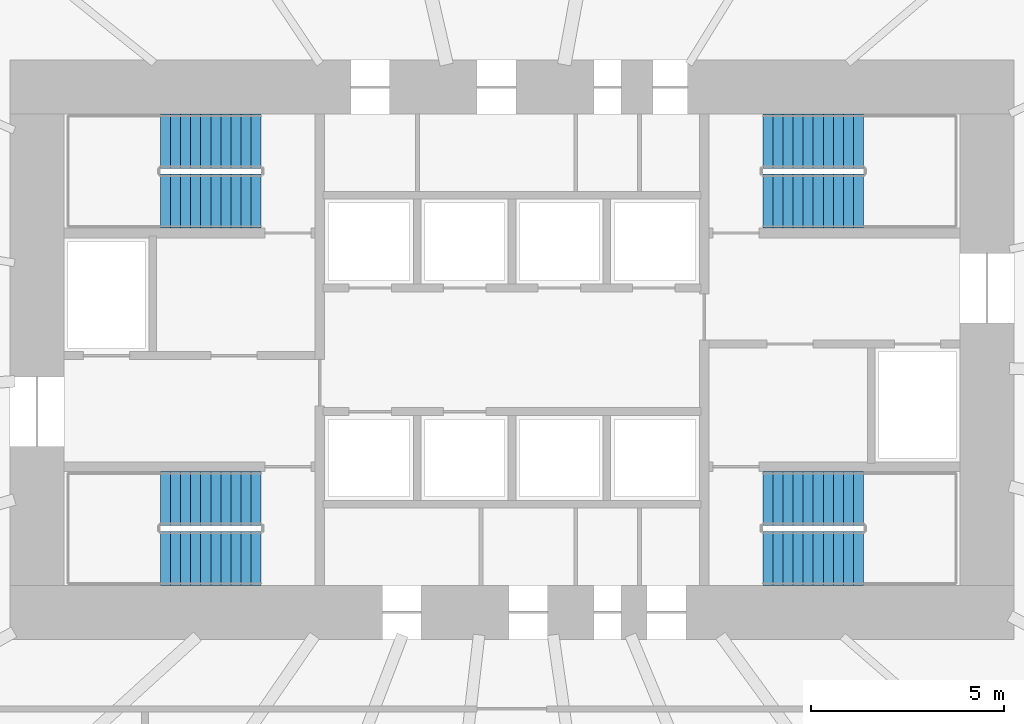
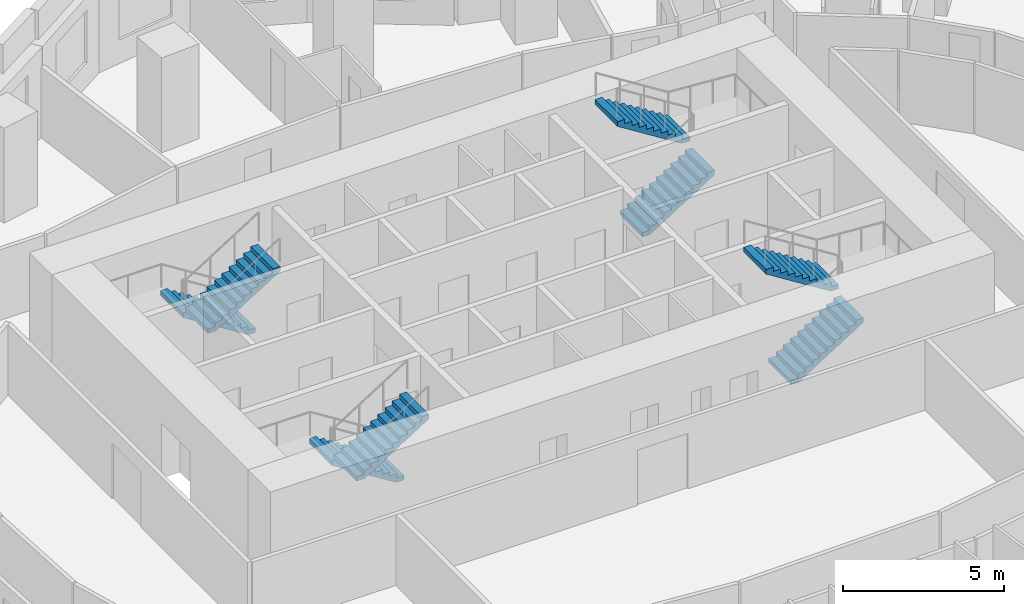
# One storey, part 10 of 11: 8 stair flights, 4 elements without a shape of their own.
"""IFC4 building model written with IfcOpenShell, lengths in metres."""

from ifc_helpers import new_model, si_unit, direction, frame, origin, place, context, subcontext, project, spatial, polyline, outline, extrude, material, type_object, element, aggregate, save


model = new_model("IFC4")

# Units and contexts
model_context = context("Model", 3, precision=1e-05, world=origin(), true_north=direction((0.0, 1.0)))
body_context = subcontext(model_context, "Body", "Model", "MODEL_VIEW")
ifc_project = project(units=[si_unit("LENGTHUNIT", "METRE"), si_unit("AREAUNIT", "SQUARE_METRE"), si_unit("VOLUMEUNIT", "CUBIC_METRE"), si_unit("PLANEANGLEUNIT", "RADIAN"), si_unit("MASSUNIT", "GRAM", prefix="KILO")], contexts=[model_context])

# Site, building, storey
site_placement = place(None, origin())
site = spatial("IfcSite", under=ifc_project, at=site_placement, CompositionType="ELEMENT")
building_placement = place(site_placement, origin())
building = spatial("IfcBuilding", under=site, at=building_placement, Name="Rubra Terraces Tower", CompositionType="ELEMENT")
storey_placement = place(building_placement, frame((0.0, 0.0, 59.10009765625)))
storey = spatial("IfcBuildingStorey", under=building, at=storey_placement, Name="L12", CompositionType="ELEMENT", Elevation=59.10009765625)

# Stair, stair flights
ifc_material = material(Name="Concrete C40", Category="concrete")
stair_type = type_object("IfcStairType", Name="Core stair 1400", PredefinedType="HALF_TURN_STAIR", material=ifc_material)
stair_1_placement = place(storey_placement, origin())
stair_1 = element("IfcStair", 1, at=stair_1_placement, inside=storey, type_object=stair_type, Name="L12 Exit stair S1", PredefinedType="HALF_TURN_STAIR")
stair_flight_type = type_object("IfcStairFlightType", Name="Core stair flight 1400", PredefinedType="STRAIGHT", material=ifc_material)
stair_flight_1_placement = place(storey_placement, frame((-6.5, 0.64990234375, 0.0), z_axis=(0.0, 0.0, 1.0), x_axis=(-1.0, 0.0, 0.0)))
stair_flight_1 = element("IfcStairFlight", 2, at=stair_flight_1_placement, type_object=stair_flight_type, Name="S1 flight 1", NumberOfRisers=11, NumberOfTreads=10, PredefinedType="STRAIGHT", RiserHeight=0.163636364, TreadLength=0.26, context=body_context, shape_type="SweptSolid", body=[
    extrude(outline(polyline([(0.0, 0.0), (0.0, 0.16357421875), (0.260009765625, 0.16357421875), (0.260009765625, 0.327392578125), (0.52001953125, 0.327392578125), (0.52001953125, 0.490966796875), (0.780029296875, 0.490966796875), (0.780029296875, 0.654541015625), (1.0400390625, 0.654541015625), (1.0400390625, 0.818115234375), (1.300048828125, 0.818115234375), (1.300048828125, 0.98193359375), (1.56005859375, 0.98193359375), (1.56005859375, 1.1455078125), (1.820068359375, 1.1455078125), (1.820068359375, 1.30908203125), (2.080078125, 1.30908203125), (2.080078125, 1.47265625), (2.340087890625, 1.47265625), (2.340087890625, 1.636474609375), (2.60009765625, 1.636474609375), (2.60009765625, 1.800048828125), (2.60009765625, 1.459228515625), (0.281494140625, 0.0), (0.0, 0.0)])), frame((0.0, 0.699951171875, 0.0), z_axis=(0.0, -1.0, 0.0), x_axis=(1.0, 0.0, 0.0)), (0.0, 0.0, 1.0), 1.39990234375),
])
stair_flight_2_placement = place(storey_placement, frame((-9.10009765625, -0.89990234375, 1.7998046875), z_axis=(0.0, 0.0, 1.0), x_axis=(1.0, 0.0, 0.0)))
stair_flight_2 = element("IfcStairFlight", 3, at=stair_flight_2_placement, type_object=stair_flight_type, Name="S1 flight 2", NumberOfRisers=11, NumberOfTreads=10, PredefinedType="STRAIGHT", RiserHeight=0.163636364, TreadLength=0.26, context=body_context, shape_type="SweptSolid", body=[
    extrude(outline(polyline([(0.0, 0.0), (0.0, 0.16357421875), (0.260009765625, 0.16357421875), (0.260009765625, 0.327392578125), (0.52001953125, 0.327392578125), (0.52001953125, 0.490966796875), (0.780029296875, 0.490966796875), (0.780029296875, 0.654541015625), (1.0400390625, 0.654541015625), (1.0400390625, 0.818115234375), (1.300048828125, 0.818115234375), (1.300048828125, 0.98193359375), (1.56005859375, 0.98193359375), (1.56005859375, 1.1455078125), (1.820068359375, 1.1455078125), (1.820068359375, 1.30908203125), (2.080078125, 1.30908203125), (2.080078125, 1.47265625), (2.340087890625, 1.47265625), (2.340087890625, 1.636474609375), (2.60009765625, 1.636474609375), (2.60009765625, 1.800048828125), (2.60009765625, 1.459228515625), (0.281494140625, 0.0), (0.0, 0.0)])), frame((0.0, 0.699951171875, 0.0), z_axis=(0.0, -1.0, 0.0), x_axis=(1.0, 0.0, 0.0)), (0.0, 0.0, 1.0), 1.39990234375),
])
aggregate(stair_1, [stair_flight_1, stair_flight_2])

stair_2_placement = place(storey_placement, origin())
stair_2 = element("IfcStair", 4, at=stair_2_placement, inside=storey, type_object=stair_type, Name="L12 Exit stair S2", PredefinedType="HALF_TURN_STAIR")
stair_flight_3_placement = place(storey_placement, frame((-6.5, 9.89990234375, 0.0), z_axis=(0.0, 0.0, 1.0), x_axis=(-1.0, 0.0, 0.0)))
stair_flight_3 = element("IfcStairFlight", 5, at=stair_flight_3_placement, type_object=stair_flight_type, Name="S2 flight 1", NumberOfRisers=11, NumberOfTreads=10, PredefinedType="STRAIGHT", RiserHeight=0.163636364, TreadLength=0.26, context=body_context, shape_type="SweptSolid", body=[
    extrude(outline(polyline([(0.0, 0.0), (0.0, 0.16357421875), (0.260009765625, 0.16357421875), (0.260009765625, 0.327392578125), (0.52001953125, 0.327392578125), (0.52001953125, 0.490966796875), (0.780029296875, 0.490966796875), (0.780029296875, 0.654541015625), (1.0400390625, 0.654541015625), (1.0400390625, 0.818115234375), (1.300048828125, 0.818115234375), (1.300048828125, 0.98193359375), (1.56005859375, 0.98193359375), (1.56005859375, 1.1455078125), (1.820068359375, 1.1455078125), (1.820068359375, 1.30908203125), (2.080078125, 1.30908203125), (2.080078125, 1.47265625), (2.340087890625, 1.47265625), (2.340087890625, 1.636474609375), (2.60009765625, 1.636474609375), (2.60009765625, 1.800048828125), (2.60009765625, 1.459228515625), (0.281494140625, 0.0), (0.0, 0.0)])), frame((0.0, 0.699951171875, 0.0), z_axis=(0.0, -1.0, 0.0), x_axis=(1.0, 0.0, 0.0)), (0.0, 0.0, 1.0), 1.39990234375),
])
stair_flight_4_placement = place(storey_placement, frame((-9.10009765625, 8.35009765625, 1.7998046875), z_axis=(0.0, 0.0, 1.0), x_axis=(1.0, 0.0, 0.0)))
stair_flight_4 = element("IfcStairFlight", 6, at=stair_flight_4_placement, type_object=stair_flight_type, Name="S2 flight 2", NumberOfRisers=11, NumberOfTreads=10, PredefinedType="STRAIGHT", RiserHeight=0.163636364, TreadLength=0.26, context=body_context, shape_type="SweptSolid", body=[
    extrude(outline(polyline([(0.0, 0.0), (0.0, 0.16357421875), (0.260009765625, 0.16357421875), (0.260009765625, 0.327392578125), (0.52001953125, 0.327392578125), (0.52001953125, 0.490966796875), (0.780029296875, 0.490966796875), (0.780029296875, 0.654541015625), (1.0400390625, 0.654541015625), (1.0400390625, 0.818115234375), (1.300048828125, 0.818115234375), (1.300048828125, 0.98193359375), (1.56005859375, 0.98193359375), (1.56005859375, 1.1455078125), (1.820068359375, 1.1455078125), (1.820068359375, 1.30908203125), (2.080078125, 1.30908203125), (2.080078125, 1.47265625), (2.340087890625, 1.47265625), (2.340087890625, 1.636474609375), (2.60009765625, 1.636474609375), (2.60009765625, 1.800048828125), (2.60009765625, 1.459228515625), (0.281494140625, 0.0), (0.0, 0.0)])), frame((0.0, 0.699951171875, 0.0), z_axis=(0.0, -1.0, 0.0), x_axis=(1.0, 0.0, 0.0)), (0.0, 0.0, 1.0), 1.39990234375),
])
aggregate(stair_2, [stair_flight_3, stair_flight_4])

stair_3_placement = place(storey_placement, origin())
stair_3 = element("IfcStair", 7, at=stair_3_placement, inside=storey, type_object=stair_type, Name="L12 Exit stair S3", PredefinedType="HALF_TURN_STAIR")
stair_flight_5_placement = place(storey_placement, frame((6.5, 8.35009765625, 0.0), z_axis=(0.0, 0.0, 1.0), x_axis=(1.0, 0.0, 0.0)))
stair_flight_5 = element("IfcStairFlight", 8, at=stair_flight_5_placement, type_object=stair_flight_type, Name="S3 flight 1", NumberOfRisers=11, NumberOfTreads=10, PredefinedType="STRAIGHT", RiserHeight=0.163636364, TreadLength=0.26, context=body_context, shape_type="SweptSolid", body=[
    extrude(outline(polyline([(0.0, 0.0), (0.0, 0.16357421875), (0.260009765625, 0.16357421875), (0.260009765625, 0.327392578125), (0.52001953125, 0.327392578125), (0.52001953125, 0.490966796875), (0.780029296875, 0.490966796875), (0.780029296875, 0.654541015625), (1.0400390625, 0.654541015625), (1.0400390625, 0.818115234375), (1.300048828125, 0.818115234375), (1.300048828125, 0.98193359375), (1.56005859375, 0.98193359375), (1.56005859375, 1.1455078125), (1.820068359375, 1.1455078125), (1.820068359375, 1.30908203125), (2.080078125, 1.30908203125), (2.080078125, 1.47265625), (2.340087890625, 1.47265625), (2.340087890625, 1.636474609375), (2.60009765625, 1.636474609375), (2.60009765625, 1.800048828125), (2.60009765625, 1.459228515625), (0.281494140625, 0.0), (0.0, 0.0)])), frame((0.0, 0.699951171875, 0.0), z_axis=(0.0, -1.0, 0.0), x_axis=(1.0, 0.0, 0.0)), (0.0, 0.0, 1.0), 1.39990234375),
])
stair_flight_6_placement = place(storey_placement, frame((9.10009765625, 9.89990234375, 1.7998046875), z_axis=(0.0, 0.0, 1.0), x_axis=(-1.0, 0.0, 0.0)))
stair_flight_6 = element("IfcStairFlight", 9, at=stair_flight_6_placement, type_object=stair_flight_type, Name="S3 flight 2", NumberOfRisers=11, NumberOfTreads=10, PredefinedType="STRAIGHT", RiserHeight=0.163636364, TreadLength=0.26, context=body_context, shape_type="SweptSolid", body=[
    extrude(outline(polyline([(0.0, 0.0), (0.0, 0.16357421875), (0.260009765625, 0.16357421875), (0.260009765625, 0.327392578125), (0.52001953125, 0.327392578125), (0.52001953125, 0.490966796875), (0.780029296875, 0.490966796875), (0.780029296875, 0.654541015625), (1.0400390625, 0.654541015625), (1.0400390625, 0.818115234375), (1.300048828125, 0.818115234375), (1.300048828125, 0.98193359375), (1.56005859375, 0.98193359375), (1.56005859375, 1.1455078125), (1.820068359375, 1.1455078125), (1.820068359375, 1.30908203125), (2.080078125, 1.30908203125), (2.080078125, 1.47265625), (2.340087890625, 1.47265625), (2.340087890625, 1.636474609375), (2.60009765625, 1.636474609375), (2.60009765625, 1.800048828125), (2.60009765625, 1.459228515625), (0.281494140625, 0.0), (0.0, 0.0)])), frame((0.0, 0.699951171875, 0.0), z_axis=(0.0, -1.0, 0.0), x_axis=(1.0, 0.0, 0.0)), (0.0, 0.0, 1.0), 1.39990234375),
])
aggregate(stair_3, [stair_flight_5, stair_flight_6])

stair_4_placement = place(storey_placement, origin())
stair_4 = element("IfcStair", 10, at=stair_4_placement, inside=storey, type_object=stair_type, Name="L12 Exit stair S4", PredefinedType="HALF_TURN_STAIR")
stair_flight_7_placement = place(storey_placement, frame((6.5, -0.89990234375, 0.0), z_axis=(0.0, 0.0, 1.0), x_axis=(1.0, 0.0, 0.0)))
stair_flight_7 = element("IfcStairFlight", 11, at=stair_flight_7_placement, type_object=stair_flight_type, Name="S4 flight 1", NumberOfRisers=11, NumberOfTreads=10, PredefinedType="STRAIGHT", RiserHeight=0.163636364, TreadLength=0.26, context=body_context, shape_type="SweptSolid", body=[
    extrude(outline(polyline([(0.0, 0.0), (0.0, 0.16357421875), (0.260009765625, 0.16357421875), (0.260009765625, 0.327392578125), (0.52001953125, 0.327392578125), (0.52001953125, 0.490966796875), (0.780029296875, 0.490966796875), (0.780029296875, 0.654541015625), (1.0400390625, 0.654541015625), (1.0400390625, 0.818115234375), (1.300048828125, 0.818115234375), (1.300048828125, 0.98193359375), (1.56005859375, 0.98193359375), (1.56005859375, 1.1455078125), (1.820068359375, 1.1455078125), (1.820068359375, 1.30908203125), (2.080078125, 1.30908203125), (2.080078125, 1.47265625), (2.340087890625, 1.47265625), (2.340087890625, 1.636474609375), (2.60009765625, 1.636474609375), (2.60009765625, 1.800048828125), (2.60009765625, 1.459228515625), (0.281494140625, 0.0), (0.0, 0.0)])), frame((0.0, 0.699951171875, 0.0), z_axis=(0.0, -1.0, 0.0), x_axis=(1.0, 0.0, 0.0)), (0.0, 0.0, 1.0), 1.39990234375),
])
stair_flight_8_placement = place(storey_placement, frame((9.10009765625, 0.64990234375, 1.7998046875), z_axis=(0.0, 0.0, 1.0), x_axis=(-1.0, 0.0, 0.0)))
stair_flight_8 = element("IfcStairFlight", 12, at=stair_flight_8_placement, type_object=stair_flight_type, Name="S4 flight 2", NumberOfRisers=11, NumberOfTreads=10, PredefinedType="STRAIGHT", RiserHeight=0.163636364, TreadLength=0.26, context=body_context, shape_type="SweptSolid", body=[
    extrude(outline(polyline([(0.0, 0.0), (0.0, 0.16357421875), (0.260009765625, 0.16357421875), (0.260009765625, 0.327392578125), (0.52001953125, 0.327392578125), (0.52001953125, 0.490966796875), (0.780029296875, 0.490966796875), (0.780029296875, 0.654541015625), (1.0400390625, 0.654541015625), (1.0400390625, 0.818115234375), (1.300048828125, 0.818115234375), (1.300048828125, 0.98193359375), (1.56005859375, 0.98193359375), (1.56005859375, 1.1455078125), (1.820068359375, 1.1455078125), (1.820068359375, 1.30908203125), (2.080078125, 1.30908203125), (2.080078125, 1.47265625), (2.340087890625, 1.47265625), (2.340087890625, 1.636474609375), (2.60009765625, 1.636474609375), (2.60009765625, 1.800048828125), (2.60009765625, 1.459228515625), (0.281494140625, 0.0), (0.0, 0.0)])), frame((0.0, 0.699951171875, 0.0), z_axis=(0.0, -1.0, 0.0), x_axis=(1.0, 0.0, 0.0)), (0.0, 0.0, 1.0), 1.39990234375),
])
aggregate(stair_4, [stair_flight_7, stair_flight_8])

save(model, "model.ifc")
